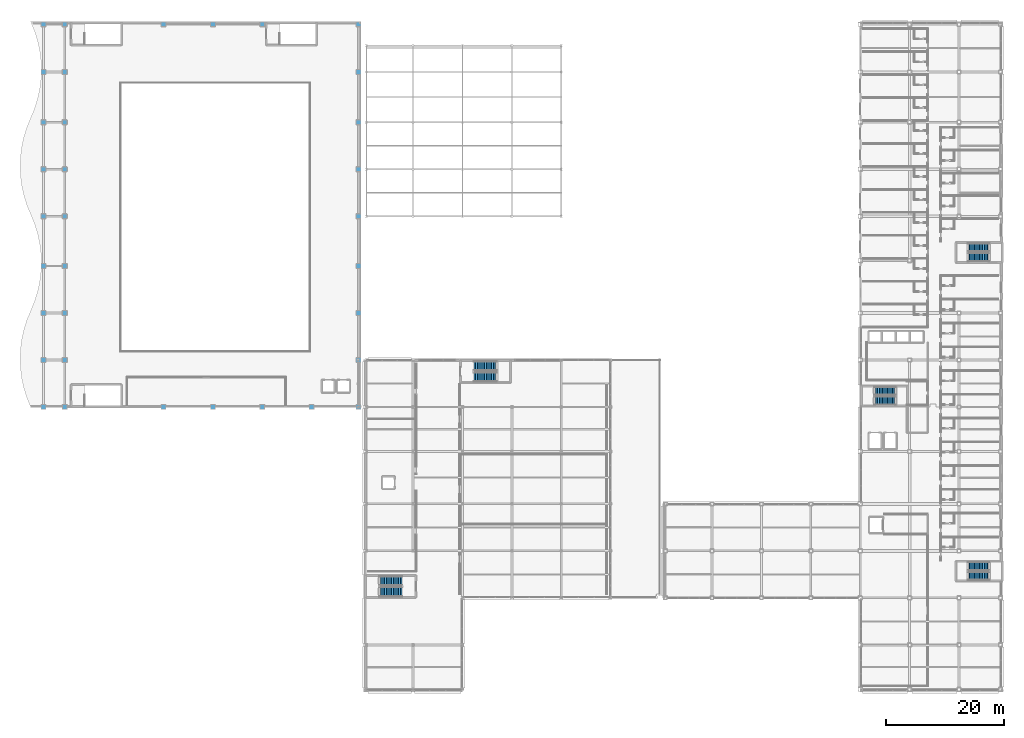
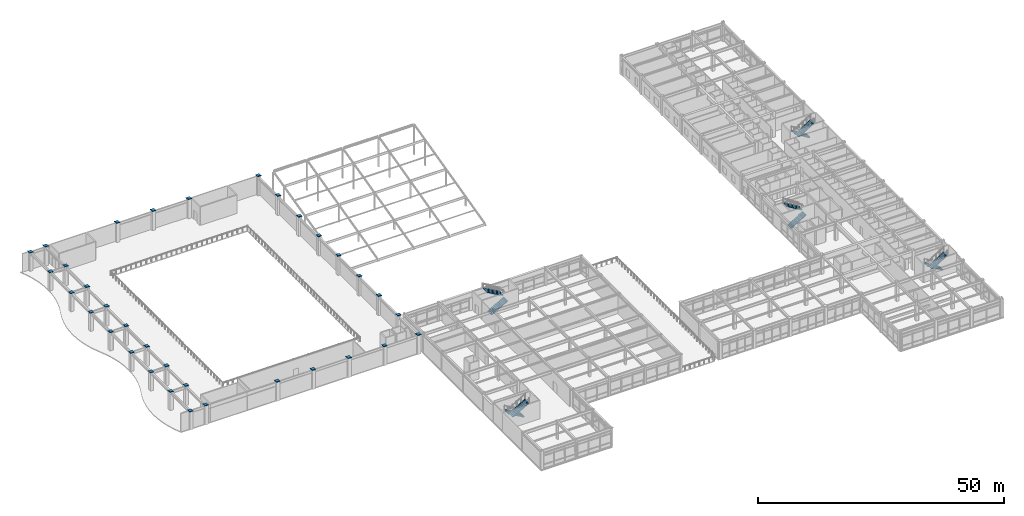
# One storey, part 83 of 93: 34 discrete accessories, 10 stair flights, 5 elements without a shape of their own.
"""IFC4 building model written with IfcOpenShell, lengths in metres."""

from ifc_helpers import new_model, si_unit, direction, frame, origin, origin_2d, place, context, subcontext, project, spatial, polyline, rectangle, outline, extrude, material, layer, layer_set, type_object, element, aggregate, save


model = new_model("IFC4")

# Units and contexts
model_context = context("Model", 3, precision=1e-05, world=origin(), true_north=direction((0.0, 1.0)))
body_context = subcontext(model_context, "Body", "Model", "MODEL_VIEW")
ifc_project = project(units=[si_unit("LENGTHUNIT", "METRE"), si_unit("AREAUNIT", "SQUARE_METRE"), si_unit("VOLUMEUNIT", "CUBIC_METRE"), si_unit("PLANEANGLEUNIT", "RADIAN"), si_unit("MASSUNIT", "GRAM", prefix="KILO")], contexts=[model_context])

# Site, building, storey
site_placement = place(None, origin())
site = spatial("IfcSite", under=ifc_project, at=site_placement, CompositionType="ELEMENT")
building_placement = place(site_placement, origin())
building = spatial("IfcBuilding", under=site, at=building_placement, Name="Kazehara Bluff Congress Hotel", CompositionType="ELEMENT")
storey_placement = place(building_placement, frame((0.0, 0.0, 15.0)))
storey = spatial("IfcBuildingStorey", under=building, at=storey_placement, Name="L03", CompositionType="ELEMENT", Elevation=15.0)

# Stair, stair flights
ifc_material_1 = material(Name="Concrete C36/45", Category="concrete")
stair_type_1 = type_object("IfcStairType", Name="TP-ST-T02", PredefinedType="HALF_TURN_STAIR", material=ifc_material_1)
stair_1_placement = place(storey_placement, origin())
stair_1 = element("IfcStair", 1, at=stair_1_placement, inside=storey, type_object=stair_type_1, Name="L03 Escape stair ST-08", PredefinedType="HALF_TURN_STAIR")
ifc_material_2 = material(Name="Concrete C36/45", Category="concrete")
stair_flight_type_1 = type_object("IfcStairFlightType", Name="TP-SF-T02", PredefinedType="STRAIGHT", material=ifc_material_2)
stair_flight_1_placement = place(storey_placement, frame((65.800048828125, 18.875, 0.0), z_axis=(0.0, 0.0, 1.0), x_axis=(-1.0, 0.0, 0.0)))
stair_flight_1 = element("IfcStairFlight", 2, at=stair_flight_1_placement, type_object=stair_flight_type_1, Name="ST-08 flight 1", NumberOfRisers=14, NumberOfTreads=13, PredefinedType="STRAIGHT", RiserHeight=0.171428571, TreadLength=0.3, context=body_context, shape_type="SweptSolid", body=[
    extrude(outline(polyline([(0.0, 0.0), (0.0, 0.17138671875), (0.300048828125, 0.17138671875), (0.300048828125, 0.3427734375), (0.60009765625, 0.3427734375), (0.60009765625, 0.514404296875), (0.89990234375, 0.514404296875), (0.89990234375, 0.685791015625), (1.199951171875, 0.685791015625), (1.199951171875, 0.857177734375), (1.5, 0.857177734375), (1.5, 1.028564453125), (1.800048828125, 1.028564453125), (1.800048828125, 1.199951171875), (2.10009765625, 1.199951171875), (2.10009765625, 1.371337890625), (2.39990234375, 1.371337890625), (2.39990234375, 1.54296875), (2.699951171875, 1.54296875), (2.699951171875, 1.71435546875), (3.0, 1.71435546875), (3.0, 1.8857421875), (3.300048828125, 1.8857421875), (3.300048828125, 2.05712890625), (3.60009765625, 2.05712890625), (3.60009765625, 2.228515625), (3.89990234375, 2.228515625), (3.89990234375, 2.39990234375), (3.89990234375, 2.04443359375), (0.322265625, 0.0), (0.0, 0.0)])), frame((0.0, 0.824951171875, 0.0), z_axis=(0.0, -1.0, 0.0), x_axis=(1.0, 0.0, 0.0)), (0.0, 0.0, 1.0), 1.64990234375),
])
stair_flight_2_placement = place(storey_placement, frame((61.89990234375, 17.02490234375, 2.39990234375), z_axis=(0.0, 0.0, 1.0), x_axis=(1.0, 0.0, 0.0)))
stair_flight_2 = element("IfcStairFlight", 3, at=stair_flight_2_placement, type_object=stair_flight_type_1, Name="ST-08 flight 2", NumberOfRisers=14, NumberOfTreads=13, PredefinedType="STRAIGHT", RiserHeight=0.171428571, TreadLength=0.3, context=body_context, shape_type="SweptSolid", body=[
    extrude(outline(polyline([(0.0, 0.0), (0.0, 0.17138671875), (0.300048828125, 0.17138671875), (0.300048828125, 0.3427734375), (0.60009765625, 0.3427734375), (0.60009765625, 0.514404296875), (0.89990234375, 0.514404296875), (0.89990234375, 0.685791015625), (1.199951171875, 0.685791015625), (1.199951171875, 0.857177734375), (1.5, 0.857177734375), (1.5, 1.028564453125), (1.800048828125, 1.028564453125), (1.800048828125, 1.199951171875), (2.10009765625, 1.199951171875), (2.10009765625, 1.371337890625), (2.39990234375, 1.371337890625), (2.39990234375, 1.54296875), (2.699951171875, 1.54296875), (2.699951171875, 1.71435546875), (3.0, 1.71435546875), (3.0, 1.8857421875), (3.300048828125, 1.8857421875), (3.300048828125, 2.05712890625), (3.60009765625, 2.05712890625), (3.60009765625, 2.228515625), (3.89990234375, 2.228515625), (3.89990234375, 2.39990234375), (3.89990234375, 2.04443359375), (0.322265625, 0.0), (0.0, 0.0)])), frame((0.0, 0.824951171875, 0.0), z_axis=(0.0, -1.0, 0.0), x_axis=(1.0, 0.0, 0.0)), (0.0, 0.0, 1.0), 1.64990234375),
])
aggregate(stair_1, [stair_flight_1, stair_flight_2])

stair_2_placement = place(storey_placement, origin())
stair_2 = element("IfcStair", 4, at=stair_2_placement, inside=storey, type_object=stair_type_1, Name="L03 Escape stair ST-09", PredefinedType="HALF_TURN_STAIR")
stair_flight_3_placement = place(storey_placement, frame((78.0, 53.574951171875, 0.0), z_axis=(0.0, 0.0, 1.0), x_axis=(1.0, 0.0, 0.0)))
stair_flight_3 = element("IfcStairFlight", 5, at=stair_flight_3_placement, type_object=stair_flight_type_1, Name="ST-09 flight 1", NumberOfRisers=14, NumberOfTreads=13, PredefinedType="STRAIGHT", RiserHeight=0.171428571, TreadLength=0.3, context=body_context, shape_type="SweptSolid", body=[
    extrude(outline(polyline([(0.0, 0.0), (0.0, 0.17138671875), (0.300048828125, 0.17138671875), (0.300048828125, 0.3427734375), (0.60009765625, 0.3427734375), (0.60009765625, 0.514404296875), (0.89990234375, 0.514404296875), (0.89990234375, 0.685791015625), (1.199951171875, 0.685791015625), (1.199951171875, 0.857177734375), (1.5, 0.857177734375), (1.5, 1.028564453125), (1.800048828125, 1.028564453125), (1.800048828125, 1.199951171875), (2.10009765625, 1.199951171875), (2.10009765625, 1.371337890625), (2.39990234375, 1.371337890625), (2.39990234375, 1.54296875), (2.699951171875, 1.54296875), (2.699951171875, 1.71435546875), (3.0, 1.71435546875), (3.0, 1.8857421875), (3.300048828125, 1.8857421875), (3.300048828125, 2.05712890625), (3.60009765625, 2.05712890625), (3.60009765625, 2.228515625), (3.89990234375, 2.228515625), (3.89990234375, 2.39990234375), (3.89990234375, 2.04443359375), (0.322265625, 0.0), (0.0, 0.0)])), frame((0.0, 0.824951171875, 0.0), z_axis=(0.0, -1.0, 0.0), x_axis=(1.0, 0.0, 0.0)), (0.0, 0.0, 1.0), 1.64990234375),
])
stair_flight_4_placement = place(storey_placement, frame((81.89990234375, 55.425048828125, 2.39990234375), z_axis=(0.0, 0.0, 1.0), x_axis=(-1.0, 0.0, 0.0)))
stair_flight_4 = element("IfcStairFlight", 6, at=stair_flight_4_placement, type_object=stair_flight_type_1, Name="ST-09 flight 2", NumberOfRisers=14, NumberOfTreads=13, PredefinedType="STRAIGHT", RiserHeight=0.171428571, TreadLength=0.3, context=body_context, shape_type="SweptSolid", body=[
    extrude(outline(polyline([(0.0, 0.0), (0.0, 0.17138671875), (0.300048828125, 0.17138671875), (0.300048828125, 0.3427734375), (0.60009765625, 0.3427734375), (0.60009765625, 0.514404296875), (0.89990234375, 0.514404296875), (0.89990234375, 0.685791015625), (1.199951171875, 0.685791015625), (1.199951171875, 0.857177734375), (1.5, 0.857177734375), (1.5, 1.028564453125), (1.800048828125, 1.028564453125), (1.800048828125, 1.199951171875), (2.10009765625, 1.199951171875), (2.10009765625, 1.371337890625), (2.39990234375, 1.371337890625), (2.39990234375, 1.54296875), (2.699951171875, 1.54296875), (2.699951171875, 1.71435546875), (3.0, 1.71435546875), (3.0, 1.8857421875), (3.300048828125, 1.8857421875), (3.300048828125, 2.05712890625), (3.60009765625, 2.05712890625), (3.60009765625, 2.228515625), (3.89990234375, 2.228515625), (3.89990234375, 2.39990234375), (3.89990234375, 2.04443359375), (0.322265625, 0.0), (0.0, 0.0)])), frame((0.0, 0.824951171875, 0.0), z_axis=(0.0, -1.0, 0.0), x_axis=(1.0, 0.0, 0.0)), (0.0, 0.0, 1.0), 1.64990234375),
])
aggregate(stair_2, [stair_flight_3, stair_flight_4])

ifc_material_3 = material(Name="Concrete C36/45", Category="concrete")
stair_type_2 = type_object("IfcStairType", Name="TP-ST-T04", PredefinedType="HALF_TURN_STAIR", material=ifc_material_3)
stair_3_placement = place(storey_placement, origin())
stair_3 = element("IfcStair", 7, at=stair_3_placement, inside=storey, type_object=stair_type_2, Name="L03 Escape stair ST-10", PredefinedType="HALF_TURN_STAIR")
ifc_material_4 = material(Name="Concrete C36/45", Category="concrete")
stair_flight_type_2 = type_object("IfcStairFlightType", Name="TP-SF-T04", PredefinedType="STRAIGHT", material=ifc_material_4)
stair_flight_5_placement = place(storey_placement, frame((165.64990234375, 21.375, 0.0), z_axis=(0.0, 0.0, 1.0), x_axis=(-1.0, 0.0, 0.0)))
stair_flight_5 = element("IfcStairFlight", 8, at=stair_flight_5_placement, type_object=stair_flight_type_2, Name="ST-10 flight 1", NumberOfRisers=14, NumberOfTreads=13, PredefinedType="STRAIGHT", RiserHeight=0.171428571, TreadLength=0.28, context=body_context, shape_type="SweptSolid", body=[
    extrude(outline(polyline([(0.0, 0.0), (0.0, 0.17138671875), (0.280029296875, 0.17138671875), (0.280029296875, 0.3427734375), (0.56005859375, 0.3427734375), (0.56005859375, 0.514404296875), (0.840087890625, 0.514404296875), (0.840087890625, 0.685791015625), (1.1201171875, 0.685791015625), (1.1201171875, 0.857177734375), (1.39990234375, 0.857177734375), (1.39990234375, 1.028564453125), (1.679931640625, 1.028564453125), (1.679931640625, 1.199951171875), (1.9599609375, 1.199951171875), (1.9599609375, 1.371337890625), (2.239990234375, 1.371337890625), (2.239990234375, 1.54296875), (2.52001953125, 1.54296875), (2.52001953125, 1.71435546875), (2.800048828125, 1.71435546875), (2.800048828125, 1.8857421875), (3.080078125, 1.8857421875), (3.080078125, 2.05712890625), (3.360107421875, 2.05712890625), (3.360107421875, 2.228515625), (3.639892578125, 2.228515625), (3.639892578125, 2.39990234375), (3.639892578125, 2.041015625), (0.30615234375, 0.0), (0.0, 0.0)])), frame((0.0, 0.72509765625, 0.0), z_axis=(0.0, -1.0, 0.0), x_axis=(1.0, 0.0, 0.0)), (0.0, 0.0, 1.0), 1.449951171875),
])
stair_flight_6_placement = place(storey_placement, frame((162.010009765625, 19.72509765625, 2.39990234375), z_axis=(0.0, 0.0, 1.0), x_axis=(1.0, 0.0, 0.0)))
stair_flight_6 = element("IfcStairFlight", 9, at=stair_flight_6_placement, type_object=stair_flight_type_2, Name="ST-10 flight 2", NumberOfRisers=14, NumberOfTreads=13, PredefinedType="STRAIGHT", RiserHeight=0.171428571, TreadLength=0.28, context=body_context, shape_type="SweptSolid", body=[
    extrude(outline(polyline([(0.0, 0.0), (0.0, 0.17138671875), (0.280029296875, 0.17138671875), (0.280029296875, 0.3427734375), (0.56005859375, 0.3427734375), (0.56005859375, 0.514404296875), (0.840087890625, 0.514404296875), (0.840087890625, 0.685791015625), (1.1201171875, 0.685791015625), (1.1201171875, 0.857177734375), (1.39990234375, 0.857177734375), (1.39990234375, 1.028564453125), (1.679931640625, 1.028564453125), (1.679931640625, 1.199951171875), (1.9599609375, 1.199951171875), (1.9599609375, 1.371337890625), (2.239990234375, 1.371337890625), (2.239990234375, 1.54296875), (2.52001953125, 1.54296875), (2.52001953125, 1.71435546875), (2.800048828125, 1.71435546875), (2.800048828125, 1.8857421875), (3.080078125, 1.8857421875), (3.080078125, 2.05712890625), (3.360107421875, 2.05712890625), (3.360107421875, 2.228515625), (3.639892578125, 2.228515625), (3.639892578125, 2.39990234375), (3.639892578125, 2.041015625), (0.30615234375, 0.0), (0.0, 0.0)])), frame((0.0, 0.72509765625, 0.0), z_axis=(0.0, -1.0, 0.0), x_axis=(1.0, 0.0, 0.0)), (0.0, 0.0, 1.0), 1.449951171875),
])
aggregate(stair_3, [stair_flight_5, stair_flight_6])

stair_4_placement = place(storey_placement, origin())
stair_4 = element("IfcStair", 10, at=stair_4_placement, inside=storey, type_object=stair_type_2, Name="L03 Escape stair ST-11", PredefinedType="HALF_TURN_STAIR")
stair_flight_7_placement = place(storey_placement, frame((146.10009765625, 49.52490234375, 0.0), z_axis=(0.0, 0.0, 1.0), x_axis=(1.0, 0.0, 0.0)))
stair_flight_7 = element("IfcStairFlight", 11, at=stair_flight_7_placement, type_object=stair_flight_type_2, Name="ST-11 flight 1", NumberOfRisers=14, NumberOfTreads=13, PredefinedType="STRAIGHT", RiserHeight=0.171428571, TreadLength=0.28, context=body_context, shape_type="SweptSolid", body=[
    extrude(outline(polyline([(0.0, 0.0), (0.0, 0.17138671875), (0.280029296875, 0.17138671875), (0.280029296875, 0.3427734375), (0.56005859375, 0.3427734375), (0.56005859375, 0.514404296875), (0.840087890625, 0.514404296875), (0.840087890625, 0.685791015625), (1.1201171875, 0.685791015625), (1.1201171875, 0.857177734375), (1.39990234375, 0.857177734375), (1.39990234375, 1.028564453125), (1.679931640625, 1.028564453125), (1.679931640625, 1.199951171875), (1.9599609375, 1.199951171875), (1.9599609375, 1.371337890625), (2.239990234375, 1.371337890625), (2.239990234375, 1.54296875), (2.52001953125, 1.54296875), (2.52001953125, 1.71435546875), (2.800048828125, 1.71435546875), (2.800048828125, 1.8857421875), (3.080078125, 1.8857421875), (3.080078125, 2.05712890625), (3.360107421875, 2.05712890625), (3.360107421875, 2.228515625), (3.639892578125, 2.228515625), (3.639892578125, 2.39990234375), (3.639892578125, 2.041015625), (0.30615234375, 0.0), (0.0, 0.0)])), frame((0.0, 0.72509765625, 0.0), z_axis=(0.0, -1.0, 0.0), x_axis=(1.0, 0.0, 0.0)), (0.0, 0.0, 1.0), 1.449951171875),
])
stair_flight_8_placement = place(storey_placement, frame((149.739990234375, 51.175048828125, 2.39990234375), z_axis=(0.0, 0.0, 1.0), x_axis=(-1.0, 0.0, 0.0)))
stair_flight_8 = element("IfcStairFlight", 12, at=stair_flight_8_placement, type_object=stair_flight_type_2, Name="ST-11 flight 2", NumberOfRisers=14, NumberOfTreads=13, PredefinedType="STRAIGHT", RiserHeight=0.171428571, TreadLength=0.28, context=body_context, shape_type="SweptSolid", body=[
    extrude(outline(polyline([(0.0, 0.0), (0.0, 0.17138671875), (0.280029296875, 0.17138671875), (0.280029296875, 0.3427734375), (0.56005859375, 0.3427734375), (0.56005859375, 0.514404296875), (0.840087890625, 0.514404296875), (0.840087890625, 0.685791015625), (1.1201171875, 0.685791015625), (1.1201171875, 0.857177734375), (1.39990234375, 0.857177734375), (1.39990234375, 1.028564453125), (1.679931640625, 1.028564453125), (1.679931640625, 1.199951171875), (1.9599609375, 1.199951171875), (1.9599609375, 1.371337890625), (2.239990234375, 1.371337890625), (2.239990234375, 1.54296875), (2.52001953125, 1.54296875), (2.52001953125, 1.71435546875), (2.800048828125, 1.71435546875), (2.800048828125, 1.8857421875), (3.080078125, 1.8857421875), (3.080078125, 2.05712890625), (3.360107421875, 2.05712890625), (3.360107421875, 2.228515625), (3.639892578125, 2.228515625), (3.639892578125, 2.39990234375), (3.639892578125, 2.041015625), (0.30615234375, 0.0), (0.0, 0.0)])), frame((0.0, 0.72509765625, 0.0), z_axis=(0.0, -1.0, 0.0), x_axis=(1.0, 0.0, 0.0)), (0.0, 0.0, 1.0), 1.449951171875),
])
aggregate(stair_4, [stair_flight_7, stair_flight_8])

stair_5_placement = place(storey_placement, origin())
stair_5 = element("IfcStair", 13, at=stair_5_placement, inside=storey, type_object=stair_type_2, Name="L03 Escape stair ST-12", PredefinedType="HALF_TURN_STAIR")
stair_flight_9_placement = place(storey_placement, frame((165.64990234375, 75.574951171875, 0.0), z_axis=(0.0, 0.0, 1.0), x_axis=(-1.0, 0.0, 0.0)))
stair_flight_9 = element("IfcStairFlight", 14, at=stair_flight_9_placement, type_object=stair_flight_type_2, Name="ST-12 flight 1", NumberOfRisers=14, NumberOfTreads=13, PredefinedType="STRAIGHT", RiserHeight=0.171428571, TreadLength=0.28, context=body_context, shape_type="SweptSolid", body=[
    extrude(outline(polyline([(0.0, 0.0), (0.0, 0.17138671875), (0.280029296875, 0.17138671875), (0.280029296875, 0.3427734375), (0.56005859375, 0.3427734375), (0.56005859375, 0.514404296875), (0.840087890625, 0.514404296875), (0.840087890625, 0.685791015625), (1.1201171875, 0.685791015625), (1.1201171875, 0.857177734375), (1.39990234375, 0.857177734375), (1.39990234375, 1.028564453125), (1.679931640625, 1.028564453125), (1.679931640625, 1.199951171875), (1.9599609375, 1.199951171875), (1.9599609375, 1.371337890625), (2.239990234375, 1.371337890625), (2.239990234375, 1.54296875), (2.52001953125, 1.54296875), (2.52001953125, 1.71435546875), (2.800048828125, 1.71435546875), (2.800048828125, 1.8857421875), (3.080078125, 1.8857421875), (3.080078125, 2.05712890625), (3.360107421875, 2.05712890625), (3.360107421875, 2.228515625), (3.639892578125, 2.228515625), (3.639892578125, 2.39990234375), (3.639892578125, 2.041015625), (0.30615234375, 0.0), (0.0, 0.0)])), frame((0.0, 0.72509765625, 0.0), z_axis=(0.0, -1.0, 0.0), x_axis=(1.0, 0.0, 0.0)), (0.0, 0.0, 1.0), 1.449951171875),
])
stair_flight_10_placement = place(storey_placement, frame((162.010009765625, 73.925048828125, 2.39990234375), z_axis=(0.0, 0.0, 1.0), x_axis=(1.0, 0.0, 0.0)))
stair_flight_10 = element("IfcStairFlight", 15, at=stair_flight_10_placement, type_object=stair_flight_type_2, Name="ST-12 flight 2", NumberOfRisers=14, NumberOfTreads=13, PredefinedType="STRAIGHT", RiserHeight=0.171428571, TreadLength=0.28, context=body_context, shape_type="SweptSolid", body=[
    extrude(outline(polyline([(0.0, 0.0), (0.0, 0.17138671875), (0.280029296875, 0.17138671875), (0.280029296875, 0.3427734375), (0.56005859375, 0.3427734375), (0.56005859375, 0.514404296875), (0.840087890625, 0.514404296875), (0.840087890625, 0.685791015625), (1.1201171875, 0.685791015625), (1.1201171875, 0.857177734375), (1.39990234375, 0.857177734375), (1.39990234375, 1.028564453125), (1.679931640625, 1.028564453125), (1.679931640625, 1.199951171875), (1.9599609375, 1.199951171875), (1.9599609375, 1.371337890625), (2.239990234375, 1.371337890625), (2.239990234375, 1.54296875), (2.52001953125, 1.54296875), (2.52001953125, 1.71435546875), (2.800048828125, 1.71435546875), (2.800048828125, 1.8857421875), (3.080078125, 1.8857421875), (3.080078125, 2.05712890625), (3.360107421875, 2.05712890625), (3.360107421875, 2.228515625), (3.639892578125, 2.228515625), (3.639892578125, 2.39990234375), (3.639892578125, 2.041015625), (0.30615234375, 0.0), (0.0, 0.0)])), frame((0.0, 0.72509765625, 0.0), z_axis=(0.0, -1.0, 0.0), x_axis=(1.0, 0.0, 0.0)), (0.0, 0.0, 1.0), 1.449951171875),
])
aggregate(stair_5, [stair_flight_9, stair_flight_10])

# Discrete accessories
ifc_material_5 = material(Name="Steel SN490B", Category="steel")
ifc_layer = layer(ifc_material_5, 0.06005859375)
ifc_layer_set = layer_set([ifc_layer], Name="Steel SN490B")
discrete_accessory_type = type_object("IfcDiscreteAccessoryType", Name="TP-CAP-BLK", PredefinedType="BRACKET", material=ifc_layer_set)
for number, where, z_axis, x_axis, name in (
    (16, (4.800048828125, 48.449951171875, 4.530029296875), (0.0, 0.0, 1.0), (1.0, 0.0, 0.0), "Hollow column welded cap plate L03 960"),
    (17, (4.800048828125, 56.449951171875, 4.530029296875), (0.0, 0.0, 1.0), (1.0, 0.0, 0.0), "Hollow column welded cap plate L03 961"),
    (18, (4.800048828125, 64.449951171875, 4.530029296875), (0.0, 0.0, 1.0), (1.0, 0.0, 0.0), "Hollow column welded cap plate L03 962"),
    (19, (4.800048828125, 72.449951171875, 4.530029296875), (0.0, 0.0, 1.0), (1.0, 0.0, 0.0), "Hollow column welded cap plate L03 963"),
    (20, (4.800048828125, 80.89990234375, 4.530029296875), (0.0, 0.0, 1.0), (1.0, 0.0, 0.0), "Hollow column welded cap plate L03 964"),
    (21, (4.800048828125, 88.89990234375, 4.530029296875), (0.0, 0.0, 1.0), (1.0, 0.0, 0.0), "Hollow column welded cap plate L03 965"),
    (22, (4.800048828125, 96.89990234375, 4.530029296875), (0.0, 0.0, 1.0), (1.0, 0.0, 0.0), "Hollow column welded cap plate L03 966"),
    (23, (4.800048828125, 105.449951171875, 4.530029296875), (0.0, 0.0, 1.0), (1.0, 0.0, 0.0), "Hollow column welded cap plate L03 967"),
    (24, (4.800048828125, 113.550048828125, 4.530029296875), (0.0, 0.0, 1.0), (1.0, 0.0, 0.0), "Hollow column welded cap plate L03 968"),
    (25, (8.39990234375, 48.449951171875, 4.77001953125), (0.0, 0.0, 1.0), (1.0, 0.0, 0.0), "Hollow column welded cap plate L03 969"),
    (26, (8.39990234375, 56.449951171875, 4.77001953125), (0.0, 0.0, 1.0), (1.0, 0.0, 0.0), "Hollow column welded cap plate L03 970"),
    (27, (8.39990234375, 64.449951171875, 4.77001953125), (0.0, 0.0, 1.0), (1.0, 0.0, 0.0), "Hollow column welded cap plate L03 971"),
    (28, (8.39990234375, 72.449951171875, 4.77001953125), (0.0, 0.0, 1.0), (1.0, 0.0, 0.0), "Hollow column welded cap plate L03 972"),
    (29, (8.39990234375, 80.89990234375, 4.77001953125), (0.0, 0.0, 1.0), (1.0, 0.0, 0.0), "Hollow column welded cap plate L03 973"),
    (30, (8.39990234375, 88.89990234375, 4.77001953125), (0.0, 0.0, 1.0), (1.0, 0.0, 0.0), "Hollow column welded cap plate L03 974"),
    (31, (8.39990234375, 96.89990234375, 4.77001953125), (0.0, 0.0, 1.0), (1.0, 0.0, 0.0), "Hollow column welded cap plate L03 975"),
    (32, (8.39990234375, 105.449951171875, 4.77001953125), (0.0, 0.0, 1.0), (1.0, 0.0, 0.0), "Hollow column welded cap plate L03 976"),
    (33, (8.39990234375, 113.550048828125, 4.77001953125), (0.0, 0.0, 1.0), (1.0, 0.0, 0.0), "Hollow column welded cap plate L03 977"),
    (34, (25.199951171875, 48.449951171875, 4.77001953125), (0.0, 0.0, 1.0), (1.0, 0.0, 0.0), "Hollow column welded cap plate L03 978"),
    (35, (25.199951171875, 113.550048828125, 4.77001953125), (0.0, 0.0, 1.0), (1.0, 0.0, 0.0), "Hollow column welded cap plate L03 979"),
    (36, (33.60009765625, 48.449951171875, 4.77001953125), (0.0, 0.0, 1.0), (1.0, 0.0, 0.0), "Hollow column welded cap plate L03 980"),
    (37, (33.60009765625, 113.550048828125, 4.77001953125), (0.0, 0.0, 1.0), (1.0, 0.0, 0.0), "Hollow column welded cap plate L03 981"),
    (38, (42.0, 48.449951171875, 4.77001953125), (0.0, 0.0, 1.0), (1.0, 0.0, 0.0), "Hollow column welded cap plate L03 982"),
    (39, (42.0, 113.550048828125, 4.77001953125), (0.0, 0.0, 1.0), (1.0, 0.0, 0.0), "Hollow column welded cap plate L03 983"),
    (40, (50.39990234375, 48.449951171875, 4.77001953125), (0.0, 0.0, 1.0), (1.0, 0.0, 0.0), "Hollow column welded cap plate L03 984"),
    (41, (58.35009765625, 48.449951171875, 4.77001953125), (0.0, 0.0, 1.0), (1.0, 0.0, 0.0), "Hollow column welded cap plate L03 985"),
    (42, (58.35009765625, 56.449951171875, 4.77001953125), (0.0, 0.0, 1.0), (1.0, 0.0, 0.0), "Hollow column welded cap plate L03 986"),
    (43, (58.35009765625, 64.449951171875, 4.77001953125), (0.0, 0.0, 1.0), (1.0, 0.0, 0.0), "Hollow column welded cap plate L03 987"),
    (44, (58.35009765625, 72.449951171875, 4.77001953125), (0.0, 0.0, 1.0), (1.0, 0.0, 0.0), "Hollow column welded cap plate L03 988"),
    (45, (58.35009765625, 80.89990234375, 4.77001953125), (0.0, 0.0, 1.0), (1.0, 0.0, 0.0), "Hollow column welded cap plate L03 989"),
    (46, (58.35009765625, 88.89990234375, 4.77001953125), (0.0, 0.0, 1.0), (1.0, 0.0, 0.0), "Hollow column welded cap plate L03 990"),
    (47, (58.35009765625, 96.89990234375, 4.77001953125), (0.0, 0.0, 1.0), (1.0, 0.0, 0.0), "Hollow column welded cap plate L03 991"),
    (48, (58.35009765625, 105.449951171875, 4.77001953125), (0.0, 0.0, 1.0), (1.0, 0.0, 0.0), "Hollow column welded cap plate L03 992"),
    (49, (58.35009765625, 113.550048828125, 4.77001953125), (0.0, 0.0, 1.0), (1.0, 0.0, 0.0), "Hollow column welded cap plate L03 993"),
):
    element("IfcDiscreteAccessory", number, at=place(storey_placement, frame(where, z_axis=z_axis, x_axis=x_axis)), inside=storey, type_object=discrete_accessory_type, Name=name, PredefinedType="BRACKET", context=body_context, shape_type="SweptSolid", body=[
        extrude(rectangle(XDim=0.840087890625, YDim=0.840087890625, at=origin_2d()), origin(), (0.0, 0.0, 1.0), 0.06005859375),
    ])

save(model, "model.ifc")
